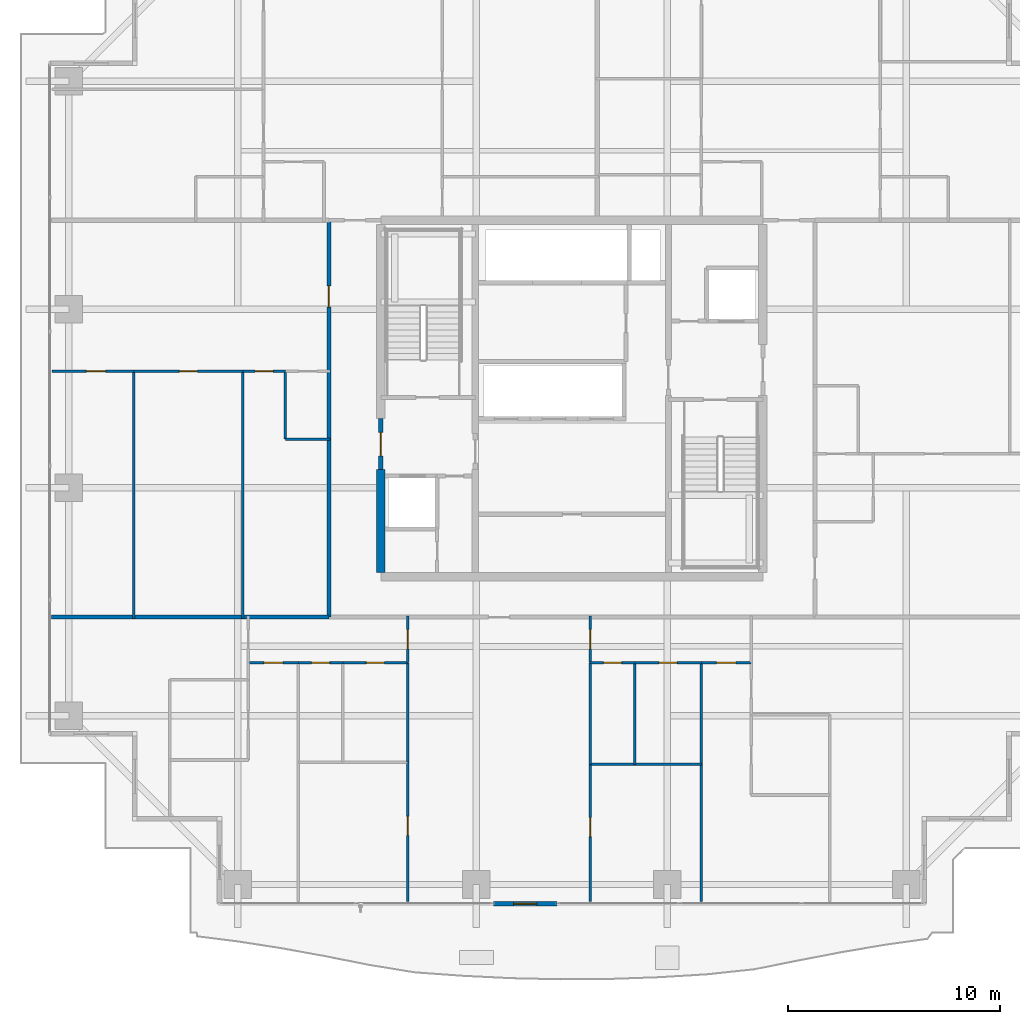
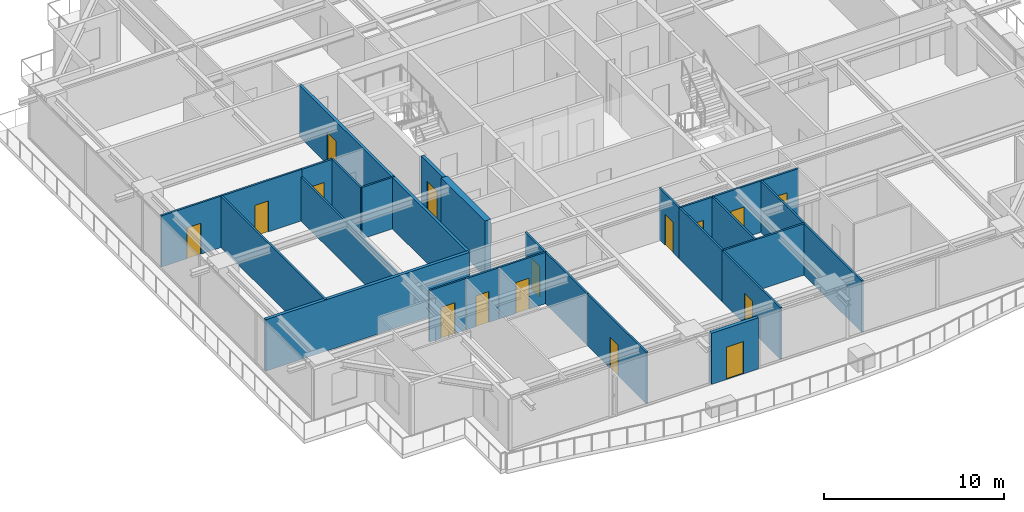
# One storey, part 26 of 36: 27 walls, 16 doors, 16 openings.
"""IFC4 building model written with IfcOpenShell, lengths in metres."""

from ifc_helpers import new_model, si_unit, direction, frame, frame_2d, origin, place, context, subcontext, project, spatial, rectangle, extrude, source, transform, mapped, material, layer, layer_set, type_object, element, fill, save


model = new_model("IFC4")

# Units and contexts
model_context = context("Model", 3, precision=1e-05, world=origin(), true_north=direction((0.0, 1.0)))
body_context = subcontext(model_context, "Body", "Model", "MODEL_VIEW")
ifc_project = project(units=[si_unit("LENGTHUNIT", "METRE"), si_unit("AREAUNIT", "SQUARE_METRE"), si_unit("VOLUMEUNIT", "CUBIC_METRE"), si_unit("PLANEANGLEUNIT", "RADIAN"), si_unit("MASSUNIT", "GRAM", prefix="KILO")], contexts=[model_context])

# Site, building, storey
site_placement = place(None, origin())
site = spatial("IfcSite", under=ifc_project, at=site_placement, CompositionType="ELEMENT")
building_placement = place(site_placement, origin())
building = spatial("IfcBuilding", under=site, at=building_placement, Name="Serunith Strait Residences", CompositionType="ELEMENT")
storey_placement = place(building_placement, frame((0.0, 0.0, 146.39990234375)))
storey = spatial("IfcBuildingStorey", under=building, at=storey_placement, Name="L36", CompositionType="ELEMENT", Elevation=146.39990234375)

# Wall, opening, door
ifc_material_1 = material(Name="Pale-Champagne Aluminium Insulated Panel", Category="aluminium")
ifc_layer_1 = layer(ifc_material_1, 0.219970703125, Name="Pale-Champagne Aluminium Insulated Panel")
ifc_layer_set_1 = layer_set([ifc_layer_1], Name="Pale-Champagne Aluminium Insulated Panel")
wall_type_1 = type_object("IfcWallType", Name="EW-ALUM-220", PredefinedType="ELEMENTEDWALL", material=ifc_layer_set_1)
wall_1_placement = place(storey_placement, frame((28.699951171875, 1.39990234375, 0.0), z_axis=(0.0, 0.0, 1.0), x_axis=(1.0, 0.0, 0.0)))
wall_1 = element("IfcWall", 1, at=wall_1_placement, inside=storey, type_object=wall_type_1, Name="L36 S Facade Pier Wall", PredefinedType="ELEMENTEDWALL", context=body_context, shape_type="SweptSolid", body=[
    extrude(rectangle(XDim=3.0, YDim=0.219970703125, at=frame_2d((1.5, 0.0))), origin(), (0.0, 0.0, 1.0), 3.47509765625),
])
opening_1_placement = place(wall_1_placement, frame((0.949951171875, 0.0, 0.0)))
opening_1 = element("IfcOpeningElement", 2, at=opening_1_placement, cuts=wall_1, Name="Opening ED-03", PredefinedType="OPENING", context=body_context, shape_type="SweptSolid", body=[
    extrude(rectangle(XDim=1.10009765625, YDim=2.199951171875, at=frame_2d((0.550048828125, 1.10009765625))), frame((0.0, 0.1201171875, 0.0), z_axis=(0.0, -1.0, 0.0), x_axis=(1.0, 0.0, 0.0)), (0.0, 0.0, 1.0), 0.239990234375),
])
ifc_material_2 = material(Name="Thermally-Broken Aluminium Glazed Balcony Door", Category="aluminium")
door_type_1 = type_object("IfcDoorType", Name="ED-BALC-1100", OperationType="NOTDEFINED", PredefinedType="DOOR", material=ifc_material_2)
shared_shape_1 = source(origin(), body_context, "Body", "SweptSolid", [
    extrude(rectangle(XDim=1.10009765625, YDim=2.199951171875, at=frame_2d((0.550048828125, 1.10009765625))), frame((0.0, 0.02490234375, 0.0), z_axis=(0.0, -1.0, 0.0), x_axis=(1.0, 0.0, 0.0)), (0.0, 0.0, 1.0), 0.050048828125),
])
door_1_placement = place(opening_1_placement, origin())
door_1 = element("IfcDoor", 3, at=door_1_placement, inside=storey, type_object=door_type_1, Name="L36 S Vertical-Forest Balcony Door", OperationType="SINGLE_SWING_LEFT", OverallHeight=2.199951171875, OverallWidth=1.10009765625, PredefinedType="DOOR", context=body_context, shape_type="MappedRepresentation", body=[
    mapped(shared_shape_1, transform((0.0, 0.0, 0.0), scale=1.0)),
])
fill(opening_1, door_1)

ifc_material_3 = material(Name="Fire-rated acoustic gypsum partition")
ifc_layer_2 = layer(ifc_material_3, 0.179931640625, Name="Fire-rated acoustic gypsum partition")
ifc_layer_set_2 = layer_set([ifc_layer_2], Name="Fire-rated acoustic gypsum partition")
wall_type_2 = type_object("IfcWallType", Name="IW-CORR-180", PredefinedType="PARTITIONING", material=ifc_layer_set_2)
wall_2_placement = place(storey_placement, frame((20.949951171875, 14.89990234375, 0.0), z_axis=(0.0, 0.0, 1.0), x_axis=(0.0, 1.0, 0.0)))
wall_2 = element("IfcWall", 4, at=wall_2_placement, inside=storey, type_object=wall_type_2, Name="L36 Partition Wall 021", PredefinedType="PARTITIONING", context=body_context, shape_type="SweptSolid", body=[
    extrude(rectangle(XDim=18.7001953125, YDim=0.179931640625, at=frame_2d((9.35009765625, 0.0))), origin(), (0.0, 0.0, 1.0), 3.489990234375),
])
opening_2_placement = place(wall_2_placement, frame((14.60302734375, 0.0, 0.0)))
opening_2 = element("IfcOpeningElement", 5, at=opening_2_placement, cuts=wall_2, Name="Opening D-APT1000", PredefinedType="OPENING", context=body_context, shape_type="SweptSolid", body=[
    extrude(rectangle(XDim=1.0, YDim=2.14990234375, at=frame_2d((0.5, 1.074951171875))), frame((0.0, 0.10009765625, 0.0), z_axis=(0.0, -1.0, 0.0), x_axis=(1.0, 0.0, 0.0)), (0.0, 0.0, 1.0), 0.199951171875),
])
ifc_material_4 = material(Name="Solid timber engineered fire door", Category="wood")
door_type_2 = type_object("IfcDoorType", Name="ID-APT-1000", OperationType="NOTDEFINED", PredefinedType="DOOR", material=ifc_material_4)
shared_shape_2 = source(origin(), body_context, "Body", "SweptSolid", [
    extrude(rectangle(XDim=1.0, YDim=2.14990234375, at=frame_2d((0.5, 1.074951171875))), frame((0.0, 0.02490234375, 0.0), z_axis=(0.0, -1.0, 0.0), x_axis=(1.0, 0.0, 0.0)), (0.0, 0.0, 1.0), 0.050048828125),
])
door_2_placement = place(opening_2_placement, origin())
door_2 = element("IfcDoor", 6, at=door_2_placement, inside=storey, type_object=door_type_2, Name="L36 Unit 04 Entrance Door", OperationType="SINGLE_SWING_RIGHT", OverallHeight=2.14990234375, OverallWidth=1.0, PredefinedType="DOOR", context=body_context, shape_type="MappedRepresentation", body=[
    mapped(shared_shape_2, transform((0.0, 0.0, 0.0), scale=1.0)),
])
fill(opening_2, door_2)

ifc_material_5 = material(Name="Lightweight steel-stud gypsum partition", Category="steel")
ifc_layer_3 = layer(ifc_material_5, 0.1201171875, Name="Lightweight steel-stud gypsum partition")
ifc_layer_set_3 = layer_set([ifc_layer_3], Name="Lightweight steel-stud gypsum partition")
wall_type_3 = type_object("IfcWallType", Name="IW-PART-120", PredefinedType="PARTITIONING", material=ifc_layer_set_3)
wall_3_placement = place(storey_placement, frame((24.659912109375, 12.75, 0.0), z_axis=(0.0, 0.0, 1.0), x_axis=(0.0, 1.0, 0.0)))
wall_3 = element("IfcWall", 7, at=wall_3_placement, inside=storey, type_object=wall_type_3, Name="L36 Partition Wall 025", PredefinedType="PARTITIONING", context=body_context, shape_type="SweptSolid", body=[
    extrude(rectangle(XDim=2.2099609375, YDim=0.1201171875, at=frame_2d((1.10498046875, 0.0))), origin(), (0.0, 0.0, 1.0), 3.489990234375),
])
opening_3_placement = place(wall_3_placement, frame((0.655029296875, 0.0, 0.0)))
opening_3 = element("IfcOpeningElement", 8, at=opening_3_placement, cuts=wall_3, Name="Opening D-RM900", PredefinedType="OPENING", context=body_context, shape_type="SweptSolid", body=[
    extrude(rectangle(XDim=0.89990234375, YDim=2.10009765625, at=frame_2d((0.449951171875, 1.050048828125))), frame((0.0, 0.070068359375, 0.0), z_axis=(0.0, -1.0, 0.0), x_axis=(1.0, 0.0, 0.0)), (0.0, 0.0, 1.0), 0.14013671875),
])
ifc_material_6 = material(Name="Engineered timber flush bedroom door", Category="wood")
door_type_3 = type_object("IfcDoorType", Name="ID-ROOM-900", OperationType="NOTDEFINED", PredefinedType="DOOR", material=ifc_material_6)
shared_shape_3 = source(origin(), body_context, "Body", "SweptSolid", [
    extrude(rectangle(XDim=0.89990234375, YDim=2.10009765625, at=frame_2d((0.449951171875, 1.050048828125))), frame((0.0, 0.02490234375, 0.0), z_axis=(0.0, -1.0, 0.0), x_axis=(1.0, 0.0, 0.0)), (0.0, 0.0, 1.0), 0.050048828125),
])
door_3_placement = place(opening_3_placement, origin())
door_3 = element("IfcDoor", 9, at=door_3_placement, inside=storey, type_object=door_type_3, Name="L36 Hall W 3601 Door", OperationType="SINGLE_SWING_RIGHT", OverallHeight=2.10009765625, OverallWidth=0.89990234375, PredefinedType="DOOR", context=body_context, shape_type="MappedRepresentation", body=[
    mapped(shared_shape_3, transform((0.0, 0.0, 0.0), scale=1.0)),
])
fill(opening_3, door_3)

wall_4_placement = place(storey_placement, frame((24.659912109375, 1.4951171875, 0.0), z_axis=(0.0, 0.0, 1.0), x_axis=(0.0, 1.0, 0.0)))
wall_4 = element("IfcWall", 10, at=wall_4_placement, inside=storey, type_object=wall_type_3, Name="L36 Partition Wall 026", PredefinedType="PARTITIONING", context=body_context, shape_type="SweptSolid", body=[
    extrude(rectangle(XDim=6.56787109375, YDim=0.1201171875, at=frame_2d((3.283935546875, 0.0))), origin(), (0.0, 0.0, 1.0), 3.489990234375),
])
opening_4_placement = place(wall_4_placement, frame((3.116943359375, 0.0, 0.0)))
opening_4 = element("IfcOpeningElement", 11, at=opening_4_placement, cuts=wall_4, Name="Opening D-RM900", PredefinedType="OPENING", context=body_context, shape_type="SweptSolid", body=[
    extrude(rectangle(XDim=0.89990234375, YDim=2.10009765625, at=frame_2d((0.449951171875, 1.050048828125))), frame((0.0, 0.070068359375, 0.0), z_axis=(0.0, -1.0, 0.0), x_axis=(1.0, 0.0, 0.0)), (0.0, 0.0, 1.0), 0.14013671875),
])
door_4_placement = place(opening_4_placement, origin())
door_4 = element("IfcDoor", 12, at=door_4_placement, inside=storey, type_object=door_type_3, Name="L36 Formal Dining Room 1 3601 Door", OperationType="SINGLE_SWING_LEFT", OverallHeight=2.10009765625, OverallWidth=0.89990234375, PredefinedType="DOOR", context=body_context, shape_type="MappedRepresentation", body=[
    mapped(shared_shape_3, transform((0.0, 0.0, 0.0), scale=1.0)),
])
fill(opening_4, door_4)

# Wall
wall_5_placement = place(storey_placement, frame((24.659912109375, 8.06494140625, 0.0), z_axis=(0.0, 0.0, 1.0), x_axis=(0.0, 1.0, 0.0)))
element("IfcWall", 13, at=wall_5_placement, inside=storey, type_object=wall_type_3, Name="L36 Partition Wall 027", PredefinedType="PARTITIONING", context=body_context, shape_type="SweptSolid", body=[
    extrude(rectangle(XDim=4.68310546875, YDim=0.1201171875, at=frame_2d((2.341552734375, 0.0))), origin(), (0.0, 0.0, 1.0), 3.489990234375),
])

# Wall, opening, door
wall_6_placement = place(storey_placement, frame((19.510009765625, 12.75, 0.0), z_axis=(0.0, 0.0, 1.0), x_axis=(1.0, 0.0, 0.0)))
wall_6 = element("IfcWall", 14, at=wall_6_placement, inside=storey, type_object=wall_type_3, Name="L36 Partition Wall 031", PredefinedType="PARTITIONING", context=body_context, shape_type="SweptSolid", body=[
    extrude(rectangle(XDim=2.10009765625, YDim=0.1201171875, at=frame_2d((1.050048828125, 0.0))), origin(), (0.0, 0.0, 1.0), 3.489990234375),
])
opening_5_placement = place(wall_6_placement, frame((0.625, 0.0, 0.0)))
opening_5 = element("IfcOpeningElement", 15, at=opening_5_placement, cuts=wall_6, Name="Opening D-BTH850", PredefinedType="OPENING", context=body_context, shape_type="SweptSolid", body=[
    extrude(rectangle(XDim=0.85009765625, YDim=2.10009765625, at=frame_2d((0.425048828125, 1.050048828125))), frame((0.0, 0.070068359375, 0.0), z_axis=(0.0, -1.0, 0.0), x_axis=(1.0, 0.0, 0.0)), (0.0, 0.0, 1.0), 0.14013671875),
])
ifc_material_7 = material(Name="Moisture-resistant timber bathroom door", Category="wood")
door_type_4 = type_object("IfcDoorType", Name="ID-BATH-850", OperationType="NOTDEFINED", PredefinedType="DOOR", material=ifc_material_7)
shared_shape_4 = source(origin(), body_context, "Body", "SweptSolid", [
    extrude(rectangle(XDim=0.85009765625, YDim=2.10009765625, at=frame_2d((0.425048828125, 1.050048828125))), frame((0.0, 0.02490234375, 0.0), z_axis=(0.0, -1.0, 0.0), x_axis=(1.0, 0.0, 0.0)), (0.0, 0.0, 1.0), 0.050048828125),
])
door_5_placement = place(opening_5_placement, origin())
door_5 = element("IfcDoor", 16, at=door_5_placement, inside=storey, type_object=door_type_4, Name="L36 Bathroom 3601 Door", OperationType="SINGLE_SWING_RIGHT", OverallHeight=2.10009765625, OverallWidth=0.85009765625, PredefinedType="DOOR", context=body_context, shape_type="MappedRepresentation", body=[
    mapped(shared_shape_4, transform((0.0, 0.0, 0.0), scale=1.0)),
])
fill(opening_5, door_5)

wall_7_placement = place(storey_placement, frame((21.612060546875, 12.75, 0.0), z_axis=(0.0, 0.0, 1.0), x_axis=(1.0, 0.0, 0.0)))
wall_7 = element("IfcWall", 17, at=wall_7_placement, inside=storey, type_object=wall_type_3, Name="L36 Partition Wall 032", PredefinedType="PARTITIONING", context=body_context, shape_type="SweptSolid", body=[
    extrude(rectangle(XDim=3.0478515625, YDim=0.1201171875, at=frame_2d((1.52392578125, 0.0))), origin(), (0.0, 0.0, 1.0), 3.489990234375),
])
opening_6_placement = place(wall_7_placement, frame((1.09912109375, 0.0, 0.0)))
opening_6 = element("IfcOpeningElement", 18, at=opening_6_placement, cuts=wall_7, Name="Opening D-RM850", PredefinedType="OPENING", context=body_context, shape_type="SweptSolid", body=[
    extrude(rectangle(XDim=0.85009765625, YDim=2.10009765625, at=frame_2d((0.425048828125, 1.050048828125))), frame((0.0, 0.070068359375, 0.0), z_axis=(0.0, -1.0, 0.0), x_axis=(1.0, 0.0, 0.0)), (0.0, 0.0, 1.0), 0.14013671875),
])
ifc_material_8 = material(Name="Engineered timber flush study and kitchen door", Category="wood")
door_type_5 = type_object("IfcDoorType", Name="ID-ROOM-850", OperationType="NOTDEFINED", PredefinedType="DOOR", material=ifc_material_8)
door_6_placement = place(opening_6_placement, origin())
door_6 = element("IfcDoor", 19, at=door_6_placement, inside=storey, type_object=door_type_5, Name="L36 Kitchen 3601 Door", OperationType="SINGLE_SWING_LEFT", OverallHeight=2.10009765625, OverallWidth=0.85009765625, PredefinedType="DOOR", context=body_context, shape_type="MappedRepresentation", body=[
    mapped(shared_shape_4, transform((0.0, 0.0, 0.0), scale=1.0)),
])
fill(opening_6, door_6)

wall_8_placement = place(storey_placement, frame((17.159912109375, 12.75, 0.0), z_axis=(0.0, 0.0, 1.0), x_axis=(1.0, 0.0, 0.0)))
wall_8 = element("IfcWall", 20, at=wall_8_placement, inside=storey, type_object=wall_type_3, Name="L36 Partition Wall 033", PredefinedType="PARTITIONING", context=body_context, shape_type="SweptSolid", body=[
    extrude(rectangle(XDim=2.34814453125, YDim=0.1201171875, at=frame_2d((1.174072265625, 0.0))), origin(), (0.0, 0.0, 1.0), 3.489990234375),
])
opening_7_placement = place(wall_8_placement, frame((0.72412109375, 0.0, 0.0)))
opening_7 = element("IfcOpeningElement", 21, at=opening_7_placement, cuts=wall_8, Name="Opening D-RM900", PredefinedType="OPENING", context=body_context, shape_type="SweptSolid", body=[
    extrude(rectangle(XDim=0.89990234375, YDim=2.10009765625, at=frame_2d((0.449951171875, 1.050048828125))), frame((0.0, 0.070068359375, 0.0), z_axis=(0.0, -1.0, 0.0), x_axis=(1.0, 0.0, 0.0)), (0.0, 0.0, 1.0), 0.14013671875),
])
door_7_placement = place(opening_7_placement, origin())
door_7 = element("IfcDoor", 22, at=door_7_placement, inside=storey, type_object=door_type_3, Name="L36 Master Bedroom W 3601 Door", OperationType="SINGLE_SWING_RIGHT", OverallHeight=2.10009765625, OverallWidth=0.89990234375, PredefinedType="DOOR", context=body_context, shape_type="MappedRepresentation", body=[
    mapped(shared_shape_3, transform((0.0, 0.0, 0.0), scale=1.0)),
])
fill(opening_7, door_7)

wall_9_placement = place(storey_placement, frame((33.27001953125, 12.75, 0.0), z_axis=(0.0, 0.0, 1.0), x_axis=(0.0, 1.0, 0.0)))
wall_9 = element("IfcWall", 23, at=wall_9_placement, inside=storey, type_object=wall_type_3, Name="L36 Partition Wall 040", PredefinedType="PARTITIONING", context=body_context, shape_type="SweptSolid", body=[
    extrude(rectangle(XDim=2.2099609375, YDim=0.1201171875, at=frame_2d((1.10498046875, 0.0))), origin(), (0.0, 0.0, 1.0), 3.489990234375),
])
opening_8_placement = place(wall_9_placement, frame((0.655029296875, 0.0, 0.0)))
opening_8 = element("IfcOpeningElement", 24, at=opening_8_placement, cuts=wall_9, Name="Opening D-RM900", PredefinedType="OPENING", context=body_context, shape_type="SweptSolid", body=[
    extrude(rectangle(XDim=0.89990234375, YDim=2.10009765625, at=frame_2d((0.449951171875, 1.050048828125))), frame((0.0, 0.070068359375, 0.0), z_axis=(0.0, -1.0, 0.0), x_axis=(1.0, 0.0, 0.0)), (0.0, 0.0, 1.0), 0.14013671875),
])
door_8_placement = place(opening_8_placement, origin())
door_8 = element("IfcDoor", 25, at=door_8_placement, inside=storey, type_object=door_type_3, Name="L36 Hall E 3601 Door", OperationType="SINGLE_SWING_LEFT", OverallHeight=2.10009765625, OverallWidth=0.89990234375, PredefinedType="DOOR", context=body_context, shape_type="MappedRepresentation", body=[
    mapped(shared_shape_3, transform((0.0, 0.0, 0.0), scale=1.0)),
])
fill(opening_8, door_8)

wall_10_placement = place(storey_placement, frame((33.27001953125, 1.4951171875, 0.0), z_axis=(0.0, 0.0, 1.0), x_axis=(0.0, 1.0, 0.0)))
wall_10 = element("IfcWall", 26, at=wall_10_placement, inside=storey, type_object=wall_type_3, Name="L36 Partition Wall 041", PredefinedType="PARTITIONING", context=body_context, shape_type="SweptSolid", body=[
    extrude(rectangle(XDim=6.4677734375, YDim=0.1201171875, at=frame_2d((3.23388671875, 0.0))), origin(), (0.0, 0.0, 1.0), 3.489990234375),
])
opening_9_placement = place(wall_10_placement, frame((3.06201171875, 0.0, 0.0)))
opening_9 = element("IfcOpeningElement", 27, at=opening_9_placement, cuts=wall_10, Name="Opening D-RM900", PredefinedType="OPENING", context=body_context, shape_type="SweptSolid", body=[
    extrude(rectangle(XDim=0.89990234375, YDim=2.10009765625, at=frame_2d((0.449951171875, 1.050048828125))), frame((0.0, 0.070068359375, 0.0), z_axis=(0.0, -1.0, 0.0), x_axis=(1.0, 0.0, 0.0)), (0.0, 0.0, 1.0), 0.14013671875),
])
door_9_placement = place(opening_9_placement, origin())
door_9 = element("IfcDoor", 28, at=door_9_placement, inside=storey, type_object=door_type_3, Name="L36 Formal Dining Room 3 3601 Door", OperationType="SINGLE_SWING_RIGHT", OverallHeight=2.10009765625, OverallWidth=0.89990234375, PredefinedType="DOOR", context=body_context, shape_type="MappedRepresentation", body=[
    mapped(shared_shape_3, transform((0.0, 0.0, 0.0), scale=1.0)),
])
fill(opening_9, door_9)

# Walls
wall_11_placement = place(storey_placement, frame((33.27001953125, 7.965087890625, 0.0), z_axis=(0.0, 0.0, 1.0), x_axis=(0.0, 1.0, 0.0)))
element("IfcWall", 29, at=wall_11_placement, inside=storey, type_object=wall_type_3, Name="L36 Partition Wall 042", PredefinedType="PARTITIONING", context=body_context, shape_type="SweptSolid", body=[
    extrude(rectangle(XDim=4.782958984375, YDim=0.1201171875, at=frame_2d((2.3916015625, 0.0))), origin(), (0.0, 0.0, 1.0), 3.489990234375),
])
wall_12_placement = place(storey_placement, frame((33.27001953125, 7.962890625, 0.0), z_axis=(0.0, 0.0, 1.0), x_axis=(1.0, 0.0, 0.0)))
element("IfcWall", 30, at=wall_12_placement, inside=storey, type_object=wall_type_3, Name="L36 Partition Wall 043", PredefinedType="PARTITIONING", context=body_context, shape_type="SweptSolid", body=[
    extrude(rectangle(XDim=5.22998046875, YDim=0.1201171875, at=frame_2d((2.614990234375, 0.0))), origin(), (0.0, 0.0, 1.0), 3.489990234375),
])
wall_13_placement = place(storey_placement, frame((38.5, 1.4951171875, 0.0), z_axis=(0.0, 0.0, 1.0), x_axis=(0.0, 1.0, 0.0)))
element("IfcWall", 31, at=wall_13_placement, inside=storey, type_object=wall_type_3, Name="L36 Partition Wall 044", PredefinedType="PARTITIONING", context=body_context, shape_type="SweptSolid", body=[
    extrude(rectangle(XDim=11.2548828125, YDim=0.1201171875, at=frame_2d((5.62744140625, 0.0))), origin(), (0.0, 0.0, 1.0), 3.489990234375),
])
wall_14_placement = place(storey_placement, frame((35.3701171875, 7.962890625, 0.0), z_axis=(0.0, 0.0, 1.0), x_axis=(0.0, 1.0, 0.0)))
element("IfcWall", 32, at=wall_14_placement, inside=storey, type_object=wall_type_3, Name="L36 Partition Wall 045", PredefinedType="PARTITIONING", context=body_context, shape_type="SweptSolid", body=[
    extrude(rectangle(XDim=4.787109375, YDim=0.1201171875, at=frame_2d((2.3935546875, 0.0))), origin(), (0.0, 0.0, 1.0), 3.489990234375),
])

# Wall, opening, door
wall_15_placement = place(storey_placement, frame((33.27001953125, 12.75, 0.0), z_axis=(0.0, 0.0, 1.0), x_axis=(1.0, 0.0, 0.0)))
wall_15 = element("IfcWall", 33, at=wall_15_placement, inside=storey, type_object=wall_type_3, Name="L36 Partition Wall 046", PredefinedType="PARTITIONING", context=body_context, shape_type="SweptSolid", body=[
    extrude(rectangle(XDim=2.10009765625, YDim=0.1201171875, at=frame_2d((1.050048828125, 0.0))), origin(), (0.0, 0.0, 1.0), 3.489990234375),
])
opening_10_placement = place(wall_15_placement, frame((0.625, 0.0, 0.0)))
opening_10 = element("IfcOpeningElement", 34, at=opening_10_placement, cuts=wall_15, Name="Opening D-RM850", PredefinedType="OPENING", context=body_context, shape_type="SweptSolid", body=[
    extrude(rectangle(XDim=0.85009765625, YDim=2.10009765625, at=frame_2d((0.425048828125, 1.050048828125))), frame((0.0, 0.070068359375, 0.0), z_axis=(0.0, -1.0, 0.0), x_axis=(1.0, 0.0, 0.0)), (0.0, 0.0, 1.0), 0.14013671875),
])
door_10_placement = place(opening_10_placement, origin())
door_10 = element("IfcDoor", 35, at=door_10_placement, inside=storey, type_object=door_type_5, Name="L36 Study 3601 Door", OperationType="SINGLE_SWING_LEFT", OverallHeight=2.10009765625, OverallWidth=0.85009765625, PredefinedType="DOOR", context=body_context, shape_type="MappedRepresentation", body=[
    mapped(shared_shape_4, transform((0.0, 0.0, 0.0), scale=1.0)),
])
fill(opening_10, door_10)

wall_16_placement = place(storey_placement, frame((35.3720703125, 12.75, 0.0), z_axis=(0.0, 0.0, 1.0), x_axis=(1.0, 0.0, 0.0)))
wall_16 = element("IfcWall", 36, at=wall_16_placement, inside=storey, type_object=wall_type_3, Name="L36 Partition Wall 047", PredefinedType="PARTITIONING", context=body_context, shape_type="SweptSolid", body=[
    extrude(rectangle(XDim=3.1279296875, YDim=0.1201171875, at=frame_2d((1.56396484375, 0.0))), origin(), (0.0, 0.0, 1.0), 3.489990234375),
])
opening_11_placement = place(wall_16_placement, frame((1.138916015625, 0.0, 0.0)))
opening_11 = element("IfcOpeningElement", 37, at=opening_11_placement, cuts=wall_16, Name="Opening D-RM850", PredefinedType="OPENING", context=body_context, shape_type="SweptSolid", body=[
    extrude(rectangle(XDim=0.85009765625, YDim=2.10009765625, at=frame_2d((0.425048828125, 1.050048828125))), frame((0.0, 0.070068359375, 0.0), z_axis=(0.0, -1.0, 0.0), x_axis=(1.0, 0.0, 0.0)), (0.0, 0.0, 1.0), 0.14013671875),
])
door_11_placement = place(opening_11_placement, origin())
door_11 = element("IfcDoor", 38, at=door_11_placement, inside=storey, type_object=door_type_5, Name="L36 Formal Dining Room 3601 Door", OperationType="SINGLE_SWING_RIGHT", OverallHeight=2.10009765625, OverallWidth=0.85009765625, PredefinedType="DOOR", context=body_context, shape_type="MappedRepresentation", body=[
    mapped(shared_shape_4, transform((0.0, 0.0, 0.0), scale=1.0)),
])
fill(opening_11, door_11)

wall_17_placement = place(storey_placement, frame((38.501953125, 12.75, 0.0), z_axis=(0.0, 0.0, 1.0), x_axis=(1.0, 0.0, 0.0)))
wall_17 = element("IfcWall", 39, at=wall_17_placement, inside=storey, type_object=wall_type_3, Name="L36 Partition Wall 048", PredefinedType="PARTITIONING", context=body_context, shape_type="SweptSolid", body=[
    extrude(rectangle(XDim=2.34814453125, YDim=0.1201171875, at=frame_2d((1.174072265625, 0.0))), origin(), (0.0, 0.0, 1.0), 3.489990234375),
])
opening_12_placement = place(wall_17_placement, frame((0.72412109375, 0.0, 0.0)))
opening_12 = element("IfcOpeningElement", 40, at=opening_12_placement, cuts=wall_17, Name="Opening D-RM900", PredefinedType="OPENING", context=body_context, shape_type="SweptSolid", body=[
    extrude(rectangle(XDim=0.89990234375, YDim=2.10009765625, at=frame_2d((0.449951171875, 1.050048828125))), frame((0.0, 0.070068359375, 0.0), z_axis=(0.0, -1.0, 0.0), x_axis=(1.0, 0.0, 0.0)), (0.0, 0.0, 1.0), 0.14013671875),
])
door_12_placement = place(opening_12_placement, origin())
door_12 = element("IfcDoor", 41, at=door_12_placement, inside=storey, type_object=door_type_3, Name="L36 Master Bedroom E 3601 Door", OperationType="SINGLE_SWING_LEFT", OverallHeight=2.10009765625, OverallWidth=0.89990234375, PredefinedType="DOOR", context=body_context, shape_type="MappedRepresentation", body=[
    mapped(shared_shape_3, transform((0.0, 0.0, 0.0), scale=1.0)),
])
fill(opening_12, door_12)

wall_18_placement = place(storey_placement, frame((7.89501953125, 26.489990234375, 0.0), z_axis=(0.0, 0.0, 1.0), x_axis=(1.0, 0.0, 0.0)))
wall_18 = element("IfcWall", 42, at=wall_18_placement, inside=storey, type_object=wall_type_3, Name="L36 Partition Wall 081", PredefinedType="PARTITIONING", context=body_context, shape_type="SweptSolid", body=[
    extrude(rectangle(XDim=3.864013671875, YDim=0.1201171875, at=frame_2d((1.93212890625, 0.0))), origin(), (0.0, 0.0, 1.0), 3.489990234375),
])
opening_13_placement = place(wall_18_placement, frame((1.6298828125, 0.0, 0.0)))
opening_13 = element("IfcOpeningElement", 43, at=opening_13_placement, cuts=wall_18, Name="Opening D-RM900", PredefinedType="OPENING", context=body_context, shape_type="SweptSolid", body=[
    extrude(rectangle(XDim=0.89990234375, YDim=2.10009765625, at=frame_2d((0.449951171875, 1.050048828125))), frame((0.0, 0.070068359375, 0.0), z_axis=(0.0, -1.0, 0.0), x_axis=(1.0, 0.0, 0.0)), (0.0, 0.0, 1.0), 0.14013671875),
])
door_13_placement = place(opening_13_placement, origin())
door_13 = element("IfcDoor", 44, at=door_13_placement, inside=storey, type_object=door_type_3, Name="L36 Master Bedroom 1 3604 Door", OperationType="SINGLE_SWING_RIGHT", OverallHeight=2.10009765625, OverallWidth=0.89990234375, PredefinedType="DOOR", context=body_context, shape_type="MappedRepresentation", body=[
    mapped(shared_shape_3, transform((0.0, 0.0, 0.0), scale=1.0)),
])
fill(opening_13, door_13)

# Walls
wall_19_placement = place(storey_placement, frame((11.759033203125, 14.840087890625, 0.0), z_axis=(0.0, 0.0, 1.0), x_axis=(0.0, 1.0, 0.0)))
element("IfcWall", 45, at=wall_19_placement, inside=storey, type_object=wall_type_3, Name="L36 Partition Wall 082", PredefinedType="PARTITIONING", context=body_context, shape_type="SweptSolid", body=[
    extrude(rectangle(XDim=11.64990234375, YDim=0.1201171875, at=frame_2d((5.824951171875, 0.0))), origin(), (0.0, 0.0, 1.0), 3.489990234375),
])
wall_20_placement = place(storey_placement, frame((16.89990234375, 14.840087890625, 0.0), z_axis=(0.0, 0.0, 1.0), x_axis=(0.0, 1.0, 0.0)))
element("IfcWall", 46, at=wall_20_placement, inside=storey, type_object=wall_type_3, Name="L36 Partition Wall 083", PredefinedType="PARTITIONING", context=body_context, shape_type="SweptSolid", body=[
    extrude(rectangle(XDim=11.64990234375, YDim=0.1201171875, at=frame_2d((5.824951171875, 0.0))), origin(), (0.0, 0.0, 1.0), 2.97216796875),
])
wall_21_placement = place(storey_placement, frame((18.89990234375, 23.2900390625, 0.0), z_axis=(0.0, 0.0, 1.0), x_axis=(0.0, 1.0, 0.0)))
element("IfcWall", 47, at=wall_21_placement, inside=storey, type_object=wall_type_3, Name="L36 Partition Wall 084", PredefinedType="PARTITIONING", context=body_context, shape_type="SweptSolid", body=[
    extrude(rectangle(XDim=3.199951171875, YDim=0.1201171875, at=frame_2d((1.60009765625, 0.0))), origin(), (0.0, 0.0, 1.0), 3.489990234375),
])
wall_22_placement = place(storey_placement, frame((18.89990234375, 23.2900390625, 0.0), z_axis=(0.0, 0.0, 1.0), x_axis=(1.0, 0.0, 0.0)))
element("IfcWall", 48, at=wall_22_placement, inside=storey, type_object=wall_type_3, Name="L36 Partition Wall 085", PredefinedType="PARTITIONING", context=body_context, shape_type="SweptSolid", body=[
    extrude(rectangle(XDim=2.110107421875, YDim=0.1201171875, at=frame_2d((1.05517578125, 0.0))), origin(), (0.0, 0.0, 1.0), 3.489990234375),
])

# Wall, opening, door
wall_23_placement = place(storey_placement, frame((11.760986328125, 26.489990234375, 0.0), z_axis=(0.0, 0.0, 1.0), x_axis=(1.0, 0.0, 0.0)))
wall_23 = element("IfcWall", 49, at=wall_23_placement, inside=storey, type_object=wall_type_3, Name="L36 Partition Wall 086", PredefinedType="PARTITIONING", context=body_context, shape_type="SweptSolid", body=[
    extrude(rectangle(XDim=5.138916015625, YDim=0.1201171875, at=frame_2d((2.5693359375, 0.0))), origin(), (0.0, 0.0, 1.0), 3.489990234375),
])
opening_14_placement = place(wall_23_placement, frame((2.14404296875, 0.0, 0.0)))
opening_14 = element("IfcOpeningElement", 50, at=opening_14_placement, cuts=wall_23, Name="Opening D-RM850", PredefinedType="OPENING", context=body_context, shape_type="SweptSolid", body=[
    extrude(rectangle(XDim=0.85009765625, YDim=2.10009765625, at=frame_2d((0.425048828125, 1.050048828125))), frame((0.0, 0.070068359375, 0.0), z_axis=(0.0, -1.0, 0.0), x_axis=(1.0, 0.0, 0.0)), (0.0, 0.0, 1.0), 0.14013671875),
])
door_14_placement = place(opening_14_placement, origin())
door_14 = element("IfcDoor", 51, at=door_14_placement, inside=storey, type_object=door_type_5, Name="L36 Dining 3604 Door", OperationType="SINGLE_SWING_LEFT", OverallHeight=2.10009765625, OverallWidth=0.85009765625, PredefinedType="DOOR", context=body_context, shape_type="MappedRepresentation", body=[
    mapped(shared_shape_4, transform((0.0, 0.0, 0.0), scale=1.0)),
])
fill(opening_14, door_14)

wall_24_placement = place(storey_placement, frame((16.902099609375, 26.489990234375, 0.0), z_axis=(0.0, 0.0, 1.0), x_axis=(1.0, 0.0, 0.0)))
wall_24 = element("IfcWall", 52, at=wall_24_placement, inside=storey, type_object=wall_type_3, Name="L36 Partition Wall 087", PredefinedType="PARTITIONING", context=body_context, shape_type="SweptSolid", body=[
    extrude(rectangle(XDim=1.997802734375, YDim=0.1201171875, at=frame_2d((0.9990234375, 0.0))), origin(), (0.0, 0.0, 1.0), 3.489990234375),
])
opening_15_placement = place(wall_24_placement, frame((0.573974609375, 0.0, 0.0)))
opening_15 = element("IfcOpeningElement", 53, at=opening_15_placement, cuts=wall_24, Name="Opening D-RM850", PredefinedType="OPENING", context=body_context, shape_type="SweptSolid", body=[
    extrude(rectangle(XDim=0.85009765625, YDim=2.10009765625, at=frame_2d((0.425048828125, 1.050048828125))), frame((0.0, 0.070068359375, 0.0), z_axis=(0.0, -1.0, 0.0), x_axis=(1.0, 0.0, 0.0)), (0.0, 0.0, 1.0), 0.14013671875),
])
door_15_placement = place(opening_15_placement, origin())
door_15 = element("IfcDoor", 54, at=door_15_placement, inside=storey, type_object=door_type_5, Name="L36 Kitchen 3604 Door", OperationType="SINGLE_SWING_RIGHT", OverallHeight=2.10009765625, OverallWidth=0.85009765625, PredefinedType="DOOR", context=body_context, shape_type="MappedRepresentation", body=[
    mapped(shared_shape_4, transform((0.0, 0.0, 0.0), scale=1.0)),
])
fill(opening_15, door_15)

# Wall
ifc_material_9 = material(Name="Twin-stud acoustic gypsum board partition")
ifc_layer_4 = layer(ifc_material_9, 0.199951171875, Name="Twin-stud acoustic gypsum board partition")
ifc_layer_set_4 = layer_set([ifc_layer_4], Name="Twin-stud acoustic gypsum board partition")
wall_type_4 = type_object("IfcWallType", Name="IW-PARTY-200", PredefinedType="PARTITIONING", material=ifc_layer_set_4)
wall_25_placement = place(storey_placement, frame((7.882080078125, 14.89990234375, 0.0), z_axis=(0.0, 0.0, 1.0), x_axis=(1.0, 0.0, 0.0)))
element("IfcWall", 55, at=wall_25_placement, inside=storey, type_object=wall_type_4, Name="L36 Partition Wall 016", PredefinedType="PARTITIONING", context=body_context, shape_type="SweptSolid", body=[
    extrude(rectangle(XDim=13.06787109375, YDim=0.199951171875, at=frame_2d((6.533935546875, 0.0))), origin(), (0.0, 0.0, 1.0), 3.489990234375),
])

# Wall, opening, door
ifc_material_10 = material(Name="Autoclaved aerated concrete blockwork", Category="masonry")
ifc_layer_5 = layer(ifc_material_10, 0.199951171875, Name="Autoclaved aerated concrete blockwork")
ifc_layer_set_5 = layer_set([ifc_layer_5], Name="Autoclaved aerated concrete blockwork")
wall_type_5 = type_object("IfcWallType", Name="IW-SHAFT-200", PredefinedType="STANDARD", material=ifc_layer_set_5)
wall_26_placement = place(storey_placement, frame((23.39990234375, 21.85205078125, 0.0), z_axis=(0.0, 0.0, 1.0), x_axis=(0.0, 1.0, 0.0)))
wall_26 = element("IfcWall", 56, at=wall_26_placement, inside=storey, type_object=wall_type_5, Name="L36 Partition Wall 007", PredefinedType="STANDARD", context=body_context, shape_type="SweptSolid", body=[
    extrude(rectangle(XDim=2.39599609375, YDim=0.199951171875, at=frame_2d((1.197998046875, 0.0))), origin(), (0.0, 0.0, 1.0), 3.489990234375),
])
opening_16_placement = place(wall_26_placement, frame((0.64794921875, 0.0, 0.0)))
opening_16 = element("IfcOpeningElement", 57, at=opening_16_placement, cuts=wall_26, Name="Opening FD-FFL", PredefinedType="OPENING", context=body_context, shape_type="SweptSolid", body=[
    extrude(rectangle(XDim=1.10009765625, YDim=2.14990234375, at=frame_2d((0.550048828125, 1.074951171875))), frame((0.0, 0.10986328125, 0.0), z_axis=(0.0, -1.0, 0.0), x_axis=(1.0, 0.0, 0.0)), (0.0, 0.0, 1.0), 0.219970703125),
])
ifc_material_11 = material(Name="Glazed steel smoke-lobby fire door", Category="steel")
door_type_6 = type_object("IfcDoorType", Name="FD-FFL-1100", OperationType="NOTDEFINED", PredefinedType="DOOR", material=ifc_material_11)
shared_shape_5 = source(origin(), body_context, "Body", "SweptSolid", [
    extrude(rectangle(XDim=1.10009765625, YDim=2.14990234375, at=frame_2d((0.550048828125, 1.074951171875))), frame((0.0, 0.02490234375, 0.0), z_axis=(0.0, -1.0, 0.0), x_axis=(1.0, 0.0, 0.0)), (0.0, 0.0, 1.0), 0.050048828125),
])
door_16_placement = place(opening_16_placement, origin())
door_16 = element("IfcDoor", 58, at=door_16_placement, inside=storey, type_object=door_type_6, Name="L36 FFL-1 Corridor Fire Door", OperationType="SINGLE_SWING_RIGHT", OverallHeight=2.14990234375, OverallWidth=1.10009765625, PredefinedType="DOOR", context=body_context, shape_type="MappedRepresentation", body=[
    mapped(shared_shape_5, transform((0.0, 0.0, 0.0), scale=1.0)),
])
fill(opening_16, door_16)

# Wall
ifc_material_12 = material(Name="Concrete C70/85", Category="concrete")
ifc_layer_6 = layer(ifc_material_12, 0.39990234375, Name="Concrete C70/85")
ifc_layer_set_6 = layer_set([ifc_layer_6], Name="Concrete C70/85")
wall_type_6 = type_object("IfcWallType", Name="SW-400-C70", PredefinedType="SHEAR", material=ifc_layer_set_6)
wall_27_placement = place(storey_placement, frame((23.39990234375, 17.0, -0.260009765625), z_axis=(0.0, 0.0, 1.0), x_axis=(0.0, 1.0, 0.0)))
element("IfcWall", 59, at=wall_27_placement, inside=storey, type_object=wall_type_6, Name="L36 Core West Shear Wall South Pier", PredefinedType="SHEAR", context=body_context, shape_type="SweptSolid", body=[
    extrude(rectangle(XDim=4.85009765625, YDim=0.39990234375, at=frame_2d((2.425048828125, 0.0))), origin(), (0.0, 0.0, 1.0), 3.748046875),
])

save(model, "model.ifc")
